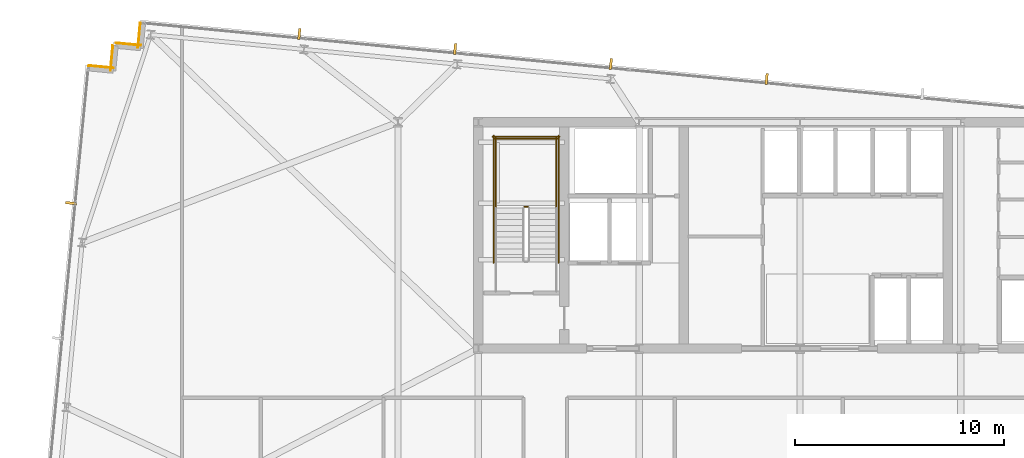
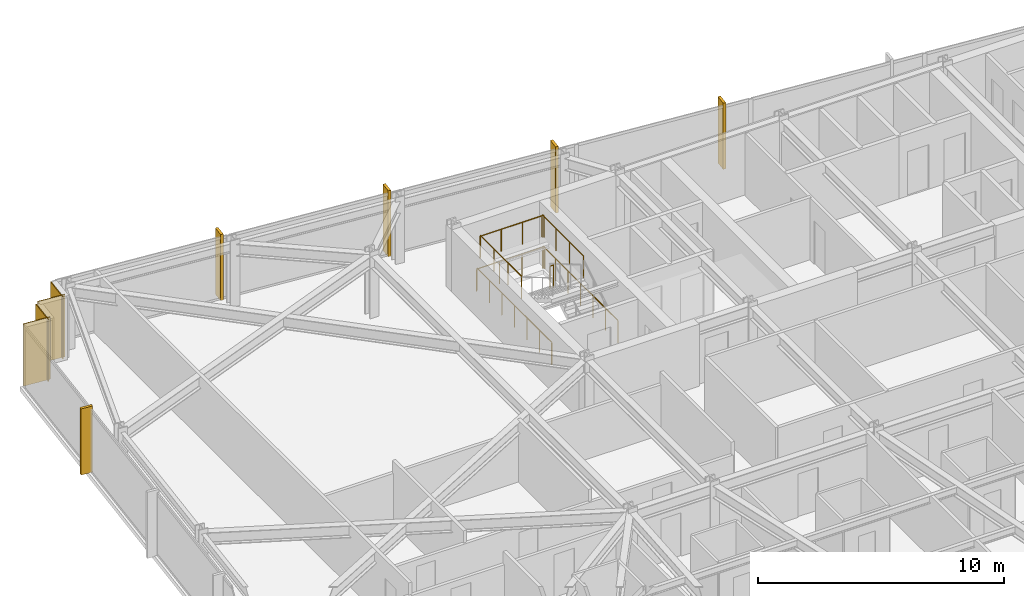
# One storey, part 37 of 38: 7 railings, 5 shading devices, 4 coverings.
"""IFC4 building model written with IfcOpenShell, lengths in metres."""

import ifcopenshell
import ifcopenshell.guid

model = None  # the IFC model being written
_history = None  # IfcOwnerHistory: only IFC2X3 demands one
_inside = {}  # id of a spatial element -> (the spatial element, [elements in it])
_under = {}  # id of a project, library or spatial element -> (it, [spatial elements below it])
_declared = {}  # id of a project -> (the project, [libraries it declares])
_typed = {}  # id of a type object -> (the type object, [elements of that type])
_made_of = {}  # id of a material, layer set ... -> (it, [elements and type objects made of it])


def new_model(schema):
    """Start an empty IFC model of exactly this schema.

    Asked for "IFC4X3", IfcOpenShell would pick the latest addendum, in which some entities
    have other attributes; the version numbers below select the first issue.
    IFC2X3 requires an IfcOwnerHistory on every rooted entity: one is made here for all.
    """
    global model, _history
    if schema == "IFC4X3":
        model = ifcopenshell.file(schema_version=(4, 3, 0, 0))
    else:
        model = ifcopenshell.file(schema=schema)
    _inside.clear()
    _under.clear()
    _declared.clear()
    _typed.clear()
    _made_of.clear()
    _history = None
    if model.schema == "IFC2X3":
        org = make("IfcOrganization", Name="unknown")
        user = make(
            "IfcPersonAndOrganization",
            ThePerson=make("IfcPerson", FamilyName="unknown"),
            TheOrganization=org,
        )
        app = make(
            "IfcApplication",
            ApplicationDeveloper=org,
            Version="unknown",
            ApplicationFullName="unknown",
            ApplicationIdentifier="unknown",
        )
        _history = make(
            "IfcOwnerHistory",
            OwningUser=user,
            OwningApplication=app,
            ChangeAction="ADDED",
            CreationDate=0,
        )
    return model


def make(cls, **values):
    """One entity of the class cls with the attributes given. An attribute that is None is left unset."""
    return model.create_entity(
        cls, **{name: value for name, value in values.items() if value is not None}
    )


def rooted(cls, **values):
    """An entity with a GlobalId (a new one), such as an element, a storey or a relation."""
    return make(cls, GlobalId=ifcopenshell.guid.new(), OwnerHistory=_history, **values)


def si_unit(unit_type, name, prefix=None):
    """IfcSIUnit, for example si_unit("LENGTHUNIT", "METRE", prefix="MILLI")."""
    return make("IfcSIUnit", UnitType=unit_type, Prefix=prefix, Name=name)


def assignment(units):
    """IfcUnitAssignment: the units of a project."""
    return None if units is None else make("IfcUnitAssignment", Units=units)


def point(xyz):
    """IfcCartesianPoint."""
    return None if xyz is None else make("IfcCartesianPoint", Coordinates=xyz)


def direction(xyz):
    """IfcDirection."""
    return None if xyz is None else make("IfcDirection", DirectionRatios=xyz)


def frame(location, z_axis=None, x_axis=None):
    """IfcAxis2Placement3D, a coordinate frame: its origin and axes. An axis left out is left unset."""
    return make(
        "IfcAxis2Placement3D",
        Location=point(location),
        Axis=direction(z_axis),
        RefDirection=direction(x_axis),
    )


def frame_2d(location, x_axis=None):
    """IfcAxis2Placement2D, a coordinate frame in the plane: its origin and x axis."""
    return make(
        "IfcAxis2Placement2D", Location=point(location), RefDirection=direction(x_axis)
    )


def origin():
    """The frame at (0, 0, 0) with its axes left unset."""
    return frame((0.0, 0.0, 0.0))


def origin_2d():
    """The frame at (0, 0) in the plane with its x axis left unset."""
    return frame_2d((0.0, 0.0))


def place(relative_to, where):
    """IfcLocalPlacement: puts the frame where relative to a parent placement (None: the world)."""
    return make(
        "IfcLocalPlacement", PlacementRelTo=relative_to, RelativePlacement=where
    )


def context(
    kind, dimensions, precision=None, world=None, true_north=None, identifier=None
):
    """IfcGeometricRepresentationContext, for example the 3D "Model" context."""
    return make(
        "IfcGeometricRepresentationContext",
        ContextIdentifier=identifier,
        ContextType=kind,
        CoordinateSpaceDimension=dimensions,
        Precision=precision,
        WorldCoordinateSystem=world,
        TrueNorth=true_north,
    )


def subcontext(parent, identifier, kind, view, scale=None):
    """IfcGeometricRepresentationSubContext, for example "Body" below "Model"."""
    return make(
        "IfcGeometricRepresentationSubContext",
        ContextIdentifier=identifier,
        ContextType=kind,
        ParentContext=parent,
        TargetScale=scale,
        TargetView=view,
    )


def project(units=None, contexts=None):
    """IfcProject with its units and contexts."""
    return rooted(
        "IfcProject",
        Name="project",
        RepresentationContexts=contexts,
        UnitsInContext=assignment(units),
    )


def spatial(cls, under=None, at=None, **own):
    """A site, building, storey or space (cls), placed at a placement, below another one or the project."""
    s = rooted(cls, ObjectPlacement=at, **own)
    if under is not None:
        _under.setdefault(under.id(), (under, []))[1].append(s)
    return s


def profile(cls, at=None, kind="AREA", **sizes):
    """A parametric profile (cls). Its sizes go by their IFC names, for example OverallWidth=200.0."""
    return make(cls, ProfileType=kind, Position=at, **sizes)


def rectangle(**sizes):
    """IfcRectangleProfileDef."""
    return profile("IfcRectangleProfileDef", **sizes)


def circle(**sizes):
    """IfcCircleProfileDef."""
    return profile("IfcCircleProfileDef", **sizes)


def extrude(swept, where, along, depth):
    """IfcExtrudedAreaSolid: the profile swept, set in the frame where, extruded along a direction by depth."""
    return make(
        "IfcExtrudedAreaSolid",
        SweptArea=swept,
        Position=where,
        ExtrudedDirection=direction(along),
        Depth=depth,
    )


def shape(context_of_items, identifier, shape_type, items):
    """IfcShapeRepresentation: the items that make up one representation, for example the "Body"."""
    return make(
        "IfcShapeRepresentation",
        ContextOfItems=context_of_items,
        RepresentationIdentifier=identifier,
        RepresentationType=shape_type,
        Items=items,
    )


def material(Name=None, Category=None):
    """IfcMaterial."""
    return make("IfcMaterial", Name=Name, Category=Category)


def layer(
    of_material, thickness, ventilated=None, Name=None, Category=None, Priority=None
):
    """IfcMaterialLayer: one layer of a wall or slab, of a material (None: an air gap)."""
    return make(
        "IfcMaterialLayer",
        Material=of_material,
        LayerThickness=thickness,
        IsVentilated=ventilated,
        Name=Name,
        Category=Category,
        Priority=Priority,
    )


def layer_set(layers, Name=None):
    """IfcMaterialLayerSet."""
    return make("IfcMaterialLayerSet", MaterialLayers=layers, LayerSetName=Name)


def made_of(thing, what):
    """Note that an element or type object is made of a material, layer set ...; save() writes the relation."""
    if what is not None:
        _made_of.setdefault(what.id(), (what, []))[1].append(thing)
    return thing


def type_object(cls, material=None, **own):
    """A type object (cls), such as IfcWallType, which elements share."""
    return made_of(rooted(cls, **own), material)


def element(
    cls,
    number,
    at=None,
    inside=None,
    cuts=None,
    type_object=None,
    material=None,
    context=None,
    identifier="Body",
    shape_type=None,
    held_by="IfcProductDefinitionShape",
    body=None,
    shapes=None,
    **own,
):
    """One element of the class cls, such as IfcWall. Its Tag is "e" and its number.

    at: its placement. inside: the storey or other place that contains it. cuts: it is an
    opening in that element (IfcRelVoidsElement). A single representation is given by context,
    identifier, shape_type and body (its items); several are given by shapes. held_by: the class
    of the entity that holds the representations. save() writes the other relations.
    """
    e = rooted(cls, Tag="e%d" % number, ObjectPlacement=at, **own)
    if body is not None:
        shapes = [shape(context, identifier, shape_type, body)]
    if shapes is not None:
        e.Representation = make(held_by, Representations=shapes)
    if inside is not None:
        _inside.setdefault(inside.id(), (inside, []))[1].append(e)
    if cuts is not None:
        rooted(
            "IfcRelVoidsElement", RelatingBuildingElement=cuts, RelatedOpeningElement=e
        )
    if type_object is not None:
        _typed.setdefault(type_object.id(), (type_object, []))[1].append(e)
    return made_of(e, material)


def aggregate(whole, parts):
    """IfcRelAggregates: a whole, such as a stair, and the parts it consists of."""
    return rooted("IfcRelAggregates", RelatingObject=whole, RelatedObjects=parts)


def save(model, path):
    """Write the relations noted so far, then the file.

    IfcRelAggregates (storeys below a building ...), IfcRelContainedInSpatialStructure (elements
    in a storey), IfcRelDefinesByType, IfcRelAssociatesMaterial and IfcRelDeclares: one each for
    every whole, place, type object, material and project.
    """
    for whole, parts in _under.values():
        aggregate(whole, parts)
    for where, things in _inside.values():
        rooted(
            "IfcRelContainedInSpatialStructure",
            RelatedElements=things,
            RelatingStructure=where,
        )
    for kind, things in _typed.values():
        rooted("IfcRelDefinesByType", RelatedObjects=things, RelatingType=kind)
    for what, things in _made_of.values():
        rooted("IfcRelAssociatesMaterial", RelatedObjects=things, RelatingMaterial=what)
    for by, libraries in _declared.values():
        rooted("IfcRelDeclares", RelatingContext=by, RelatedDefinitions=libraries)
    model.write(path)


model = new_model("IFC4")

# Units and contexts
model_context = context("Model", 3, precision=1e-05, world=origin(), true_north=direction((0.0, 1.0)))
body_context = subcontext(model_context, "Body", "Model", "MODEL_VIEW")
ifc_project = project(units=[si_unit("LENGTHUNIT", "METRE"), si_unit("AREAUNIT", "SQUARE_METRE"), si_unit("VOLUMEUNIT", "CUBIC_METRE"), si_unit("PLANEANGLEUNIT", "RADIAN"), si_unit("MASSUNIT", "GRAM", prefix="KILO")], contexts=[model_context])

# Site, building, storey
site_placement = place(None, origin())
site = spatial("IfcSite", under=ifc_project, at=site_placement, CompositionType="ELEMENT")
building_placement = place(site_placement, origin())
building = spatial("IfcBuilding", under=site, at=building_placement, Name="Yelkora Congress Tower", CompositionType="ELEMENT")
storey_placement = place(building_placement, frame((0.0, 0.0, 155.60009765625)))
storey = spatial("IfcBuildingStorey", under=building, at=storey_placement, Name="L42", CompositionType="ELEMENT", Elevation=155.60009765625)

# Coverings
ifc_material_1 = material(Name="Anatolian bush-hammered limestone", Category="masonry")
ifc_layer_1 = layer(ifc_material_1, 0.0400390625)
ifc_layer_set_1 = layer_set([ifc_layer_1], Name="Anatolian bush-hammered limestone")
covering_type = type_object("IfcCoveringType", Name="COV-CLAD-SPANDREL-40", PredefinedType="CLADDING", material=ifc_layer_set_1)
for number, where, z_axis, x_axis, name in (
    (1, (4.423583984375, 48.9130859375, 0.0), (0.0, 0.0, 1.0), (0.995398960025, -0.095817067274, 0.0), "L42 Anatolian Limestone Cladding EW-L42-SR06"),
    (2, (5.470703125, 48.676513671875, 0.0), (0.0, 0.0, 1.0), (0.095817067274, 0.995398960025, 0.0), "L42 Anatolian Limestone Cladding EW-L42-SR07"),
):
    element("IfcCovering", number, at=place(storey_placement, frame(where, z_axis=z_axis, x_axis=x_axis)), inside=storey, type_object=covering_type, Name=name, PredefinedType="CLADDING", context=body_context, shape_type="SweptSolid", body=[
        extrude(rectangle(XDim=1.2001953125, YDim=0.0400390625, at=frame_2d((0.60009765625, 0.0))), origin(), (0.0, 0.0, 1.0), 3.079833984375),
    ])
covering_1_placement = place(storey_placement, frame((5.733154296875, 49.992431640625, 0.0), z_axis=(0.0, 0.0, 1.0), x_axis=(0.995397091755, -0.095836473879, 0.0)))
element("IfcCovering", 3, at=covering_1_placement, inside=storey, type_object=covering_type, Name="L42 Anatolian Limestone Cladding EW-L42-SR08", PredefinedType="CLADDING", context=body_context, shape_type="SweptSolid", body=[
    extrude(rectangle(XDim=1.199951171875, YDim=0.0400390625, at=frame_2d((0.60009765625, 0.0))), origin(), (0.0, 0.0, 1.0), 3.079833984375),
])
covering_2_placement = place(storey_placement, frame((6.780029296875, 49.756103515625, 0.0), z_axis=(0.0, 0.0, 1.0), x_axis=(0.096018626938, 0.995379537303, 0.0)))
element("IfcCovering", 4, at=covering_2_placement, inside=storey, type_object=covering_type, Name="L42 Anatolian Limestone Cladding EW-L42-SR09", PredefinedType="CLADDING", context=body_context, shape_type="SweptSolid", body=[
    extrude(rectangle(XDim=1.2001953125, YDim=0.0400390625, at=frame_2d((0.60009765625, 0.0))), origin(), (0.0, 0.0, 1.0), 3.079833984375),
])

# Railings
ifc_material_2 = material(Name="Painted galvanised steel stair well guard with vertical infill", Category="steel")
ifc_layer_2 = layer(ifc_material_2, 0.06005859375)
ifc_layer_set_2 = layer_set([ifc_layer_2], Name="Painted galvanised steel stair well guard with vertical infill")
railing_type = type_object("IfcRailingType", Name="RAIL-STAIR-GUARD-1120", PredefinedType="GUARDRAIL", material=ifc_layer_set_2)
railing_1_placement = place(storey_placement, frame((25.39990234375, 42.169921875, 1.64990234375)))
element("IfcRailing", 5, at=railing_1_placement, inside=storey, type_object=railing_type, Name="ST-01 L42 Stair Well Guardrail 2", PredefinedType="GUARDRAIL", context=body_context, shape_type="SweptSolid", body=[
    extrude(circle(Radius=0.02392578125, at=origin_2d()), frame((0.0, 0.0, 1.09619140625), z_axis=(-1.0, 0.0, 0.0), x_axis=(0.0, -1.0, 0.0)), (0.0, 0.0, 1.0), 0.159912109375),
    extrude(circle(Radius=0.02099609375, at=origin_2d()), origin(), (0.0, 0.0, 1.0), 1.072021484375),
    extrude(circle(Radius=0.02099609375, at=origin_2d()), frame((-0.159912109375, 0.0, 0.0)), (0.0, 0.0, 1.0), 1.072021484375),
])
for number, where, name in (
    (6, (26.77001953125, 42.1201171875, 1.64990234375), "ST-01 L42 Stair Well Guardrail 3"),
    (7, (23.8701171875, 42.1201171875, 1.64990234375), "ST-01 L42 Stair Well Guardrail 4"),
):
    element("IfcRailing", number, at=place(storey_placement, frame(where)), inside=storey, type_object=railing_type, Name=name, PredefinedType="GUARDRAIL", context=body_context, shape_type="SweptSolid", body=[
        extrude(circle(Radius=0.02392578125, at=origin_2d()), frame((0.0, 0.0, 1.09619140625), z_axis=(0.0, 1.0, 0.0), x_axis=(-1.0, 0.0, 0.0)), (0.0, 0.0, 1.0), 3.349853515625),
        extrude(circle(Radius=0.02099609375, at=origin_2d()), origin(), (0.0, 0.0, 1.0), 1.072021484375),
        extrude(circle(Radius=0.02099609375, at=origin_2d()), frame((0.0, 1.11669921875, 0.0)), (0.0, 0.0, 1.0), 1.072021484375),
        extrude(circle(Radius=0.02099609375, at=origin_2d()), frame((0.0, 2.233154296875, 0.0)), (0.0, 0.0, 1.0), 1.072021484375),
        extrude(circle(Radius=0.02099609375, at=origin_2d()), frame((0.0, 3.349853515625, 0.0)), (0.0, 0.0, 1.0), 1.072021484375),
    ])
railing_2_placement = place(storey_placement, frame((26.820068359375, 45.419921875, 1.64990234375)))
element("IfcRailing", 8, at=railing_2_placement, inside=storey, type_object=railing_type, Name="ST-01 L42 Stair Well Guardrail 5", PredefinedType="GUARDRAIL", context=body_context, shape_type="SweptSolid", body=[
    extrude(circle(Radius=0.02392578125, at=origin_2d()), frame((0.0, 0.0, 1.09619140625), z_axis=(-1.0, 0.0, 0.0), x_axis=(0.0, -1.0, 0.0)), (0.0, 0.0, 1.0), 3.0),
    extrude(circle(Radius=0.02099609375, at=origin_2d()), origin(), (0.0, 0.0, 1.0), 1.072021484375),
    extrude(circle(Radius=0.02099609375, at=origin_2d()), frame((-1.0, 0.0, 0.0)), (0.0, 0.0, 1.0), 1.072021484375),
    extrude(circle(Radius=0.02099609375, at=origin_2d()), frame((-2.0, 0.0, 0.0)), (0.0, 0.0, 1.0), 1.072021484375),
    extrude(circle(Radius=0.02099609375, at=origin_2d()), frame((-3.0, 0.0, 0.0)), (0.0, 0.0, 1.0), 1.072021484375),
])
for number, where, name in (
    (9, (26.8701171875, 39.5, 0.0), "ST-01 L42 Stair Well Guardrail 10"),
    (10, (23.77001953125, 39.5, 0.0), "ST-01 L42 Stair Well Guardrail 11"),
):
    element("IfcRailing", number, at=place(storey_placement, frame(where)), inside=storey, type_object=railing_type, Name=name, PredefinedType="GUARDRAIL", context=body_context, shape_type="SweptSolid", body=[
        extrude(circle(Radius=0.02392578125, at=origin_2d()), frame((0.0, 0.0, 1.09619140625), z_axis=(0.0, 1.0, 0.0), x_axis=(-1.0, 0.0, 0.0)), (0.0, 0.0, 1.0), 6.070068359375),
        extrude(circle(Radius=0.02099609375, at=origin_2d()), origin(), (0.0, 0.0, 1.0), 1.072021484375),
        extrude(circle(Radius=0.02099609375, at=origin_2d()), frame((0.0, 1.01171875, 0.0)), (0.0, 0.0, 1.0), 1.072021484375),
        extrude(circle(Radius=0.02099609375, at=origin_2d()), frame((0.0, 2.0234375, 0.0)), (0.0, 0.0, 1.0), 1.072021484375),
        extrude(circle(Radius=0.02099609375, at=origin_2d()), frame((0.0, 3.03515625, 0.0)), (0.0, 0.0, 1.0), 1.072021484375),
        extrude(circle(Radius=0.02099609375, at=origin_2d()), frame((0.0, 4.046630859375, 0.0)), (0.0, 0.0, 1.0), 1.072021484375),
        extrude(circle(Radius=0.02099609375, at=origin_2d()), frame((0.0, 5.058349609375, 0.0)), (0.0, 0.0, 1.0), 1.072021484375),
        extrude(circle(Radius=0.02099609375, at=origin_2d()), frame((0.0, 6.070068359375, 0.0)), (0.0, 0.0, 1.0), 1.072021484375),
    ])
railing_3_placement = place(storey_placement, frame((26.919921875, 45.52001953125, 0.0)))
element("IfcRailing", 11, at=railing_3_placement, inside=storey, type_object=railing_type, Name="ST-01 L42 Stair Well Guardrail 12", PredefinedType="GUARDRAIL", context=body_context, shape_type="SweptSolid", body=[
    extrude(circle(Radius=0.02392578125, at=origin_2d()), frame((0.0, 0.0, 1.09619140625), z_axis=(-1.0, 0.0, 0.0), x_axis=(0.0, -1.0, 0.0)), (0.0, 0.0, 1.0), 3.199951171875),
    extrude(circle(Radius=0.02099609375, at=origin_2d()), origin(), (0.0, 0.0, 1.0), 1.072021484375),
    extrude(circle(Radius=0.02099609375, at=origin_2d()), frame((-1.066650390625, 0.0, 0.0)), (0.0, 0.0, 1.0), 1.072021484375),
    extrude(circle(Radius=0.02099609375, at=origin_2d()), frame((-2.13330078125, 0.0, 0.0)), (0.0, 0.0, 1.0), 1.072021484375),
    extrude(circle(Radius=0.02099609375, at=origin_2d()), frame((-3.199951171875, 0.0, 0.0)), (0.0, 0.0, 1.0), 1.072021484375),
])

# Shading devices
ifc_material_3 = material(Name="Champagne anodised aluminium", Category="aluminium")
ifc_layer_3 = layer(ifc_material_3, 3.300048828125)
ifc_layer_set_3 = layer_set([ifc_layer_3], Name="Champagne anodised aluminium")
shading_device_type = type_object("IfcShadingDeviceType", Name="SHD-FIN-ALU-520", PredefinedType="USERDEFINED", material=ifc_layer_set_3)
for number, where, z_axis, x_axis, name in (
    (12, (3.590087890625, 42.34375, -0.0302734375), (0.0, 0.0, 1.0), (0.09584575252, 0.995396198367, 0.0), "L42 Vertical Anodised Solar Fin 5-4"),
    (13, (14.48876953125, 50.42041015625, -0.0302734375), (0.0, 0.0, 1.0), (0.995396198367, -0.09584575252, 0.0), "L42 Vertical Anodised Solar Fin 10-1"),
    (14, (21.928466796875, 49.703857421875, -0.0302734375), (0.0, 0.0, 1.0), (0.995396198367, -0.09584575252, 0.0), "L42 Vertical Anodised Solar Fin 10-2"),
    (15, (29.368408203125, 48.987548828125, -0.0302734375), (0.0, 0.0, 1.0), (0.995396198367, -0.09584575252, 0.0), "L42 Vertical Anodised Solar Fin 10-3"),
    (16, (36.808349609375, 48.271240234375, -0.0302734375), (0.0, 0.0, 1.0), (0.995396198367, -0.09584575252, 0.0), "L42 Vertical Anodised Solar Fin 10-4"),
):
    element("IfcShadingDevice", number, at=place(storey_placement, frame(where, z_axis=z_axis, x_axis=x_axis)), inside=storey, type_object=shading_device_type, Name=name, ObjectType="FIN", PredefinedType="USERDEFINED", context=body_context, shape_type="SweptSolid", body=[
        extrude(rectangle(XDim=0.1201171875, YDim=0.52001953125, at=origin_2d()), origin(), (0.0, 0.0, 1.0), 3.280029296875),
    ])

save(model, "model.ifc")
